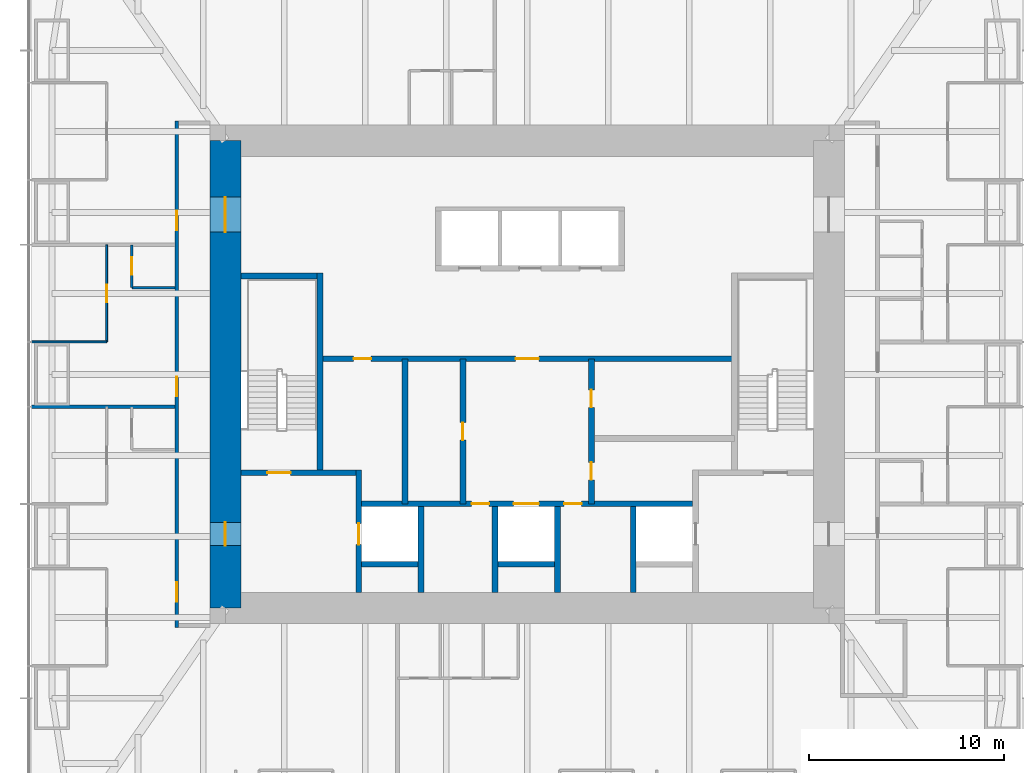
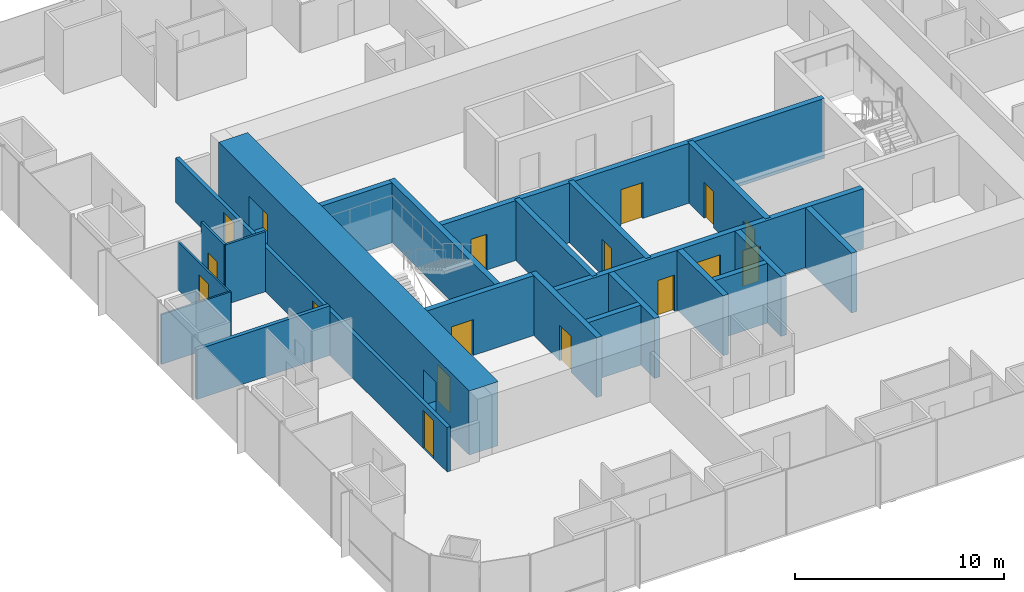
# One storey, part 9 of 13: 22 walls, 17 doors, 17 openings.
"""IFC4 building model written with IfcOpenShell, lengths in metres."""

from ifc_helpers import new_model, si_unit, direction, frame, frame_2d, origin, place, context, subcontext, project, spatial, rectangle, extrude, material, layer, layer_set, type_object, element, fill, save


model = new_model("IFC4")

# Units and contexts
model_context = context("Model", 3, precision=1e-05, world=origin(), true_north=direction((0.0, 1.0)))
body_context = subcontext(model_context, "Body", "Model", "MODEL_VIEW")
ifc_project = project(units=[si_unit("LENGTHUNIT", "METRE"), si_unit("AREAUNIT", "SQUARE_METRE"), si_unit("VOLUMEUNIT", "CUBIC_METRE"), si_unit("PLANEANGLEUNIT", "RADIAN"), si_unit("MASSUNIT", "GRAM", prefix="KILO")], contexts=[model_context])

# Site, building, storey
site_placement = place(None, origin())
site = spatial("IfcSite", under=ifc_project, at=site_placement, CompositionType="ELEMENT")
building_placement = place(site_placement, origin())
building = spatial("IfcBuilding", under=site, at=building_placement, Name="Khuree Lantern Residences", CompositionType="ELEMENT")
storey_placement = place(building_placement, frame((0.0, 0.0, 267.0)))
storey = spatial("IfcBuildingStorey", under=building, at=storey_placement, Name="L67", CompositionType="ELEMENT", Elevation=267.0)

# Wall, opening, door
ifc_material_1 = material(Name="Moisture-resistant gypsum board on steel studs", Category="steel")
ifc_layer_1 = layer(ifc_material_1, 0.125)
ifc_layer_set_1 = layer_set([ifc_layer_1], Name="BATHROOM WALL BTW125")
wall_type_1 = type_object("IfcWallType", Name="BATHROOM WALL BTW125", PredefinedType="PARTITIONING", material=ifc_layer_set_1)
wall_1_placement = place(storey_placement, frame((-20.300048828125, 6.656005859375, 0.0), z_axis=(0.0, 0.0, 1.0), x_axis=(0.0, -1.0, 0.0)))
wall_1 = element("IfcWall", 1, at=wall_1_placement, inside=storey, type_object=wall_type_1, Name="L67 BATHROOM WALL 04", PredefinedType="PARTITIONING", context=body_context, shape_type="SweptSolid", body=[
    extrude(rectangle(XDim=2.199951171875, YDim=0.125, at=frame_2d((1.10009765625, 0.0))), origin(), (0.0, 0.0, 1.0), 3.5),
])
opening_1_placement = place(wall_1_placement, frame((0.64990234375, 0.0, 0.0)))
opening_1 = element("IfcOpeningElement", 2, at=opening_1_placement, cuts=wall_1, Name="Opening 67-041", PredefinedType="OPENING", context=body_context, shape_type="SweptSolid", body=[
    extrude(rectangle(XDim=0.89990234375, YDim=2.10009765625, at=frame_2d((0.449951171875, 1.050048828125))), frame((0.0, 0.072509765625, 0.0), z_axis=(0.0, -1.0, 0.0), x_axis=(1.0, 0.0, 0.0)), (0.0, 0.0, 1.0), 0.14501953125),
])
ifc_material_2 = material(Name="Timber door leaf in hardwood frame", Category="wood")
door_type_1 = type_object("IfcDoorType", Name="BATHROOM DOOR 900X2100", OperationType="SINGLE_SWING_LEFT", PredefinedType="DOOR", material=ifc_material_2)
door_1_placement = place(opening_1_placement, origin())
door_1 = element("IfcDoor", 3, at=door_1_placement, inside=storey, type_object=door_type_1, Name="Bathroom door 67-041", OperationType="SINGLE_SWING_LEFT", OverallHeight=2.10009765625, OverallWidth=0.89990234375, PredefinedType="DOOR", context=body_context, shape_type="SweptSolid", body=[
    extrude(rectangle(XDim=0.89990234375, YDim=2.10009765625, at=frame_2d((0.449951171875, 1.050048828125))), frame((0.0, 0.02490234375, 0.0), z_axis=(0.0, -1.0, 0.0), x_axis=(1.0, 0.0, 0.0)), (0.0, 0.0, 1.0), 0.050048828125),
])
fill(opening_1, door_1)

# Wall
wall_2_placement = place(storey_placement, frame((-18.10009765625, 4.4560546875, 0.0), z_axis=(0.0, 0.0, 1.0), x_axis=(-1.0, 0.0, 0.0)))
element("IfcWall", 4, at=wall_2_placement, inside=storey, type_object=wall_type_1, Name="L67 BATHROOM WALL 04", PredefinedType="PARTITIONING", context=body_context, shape_type="SweptSolid", body=[
    extrude(rectangle(XDim=2.199951171875, YDim=0.125, at=frame_2d((1.10009765625, 0.0))), origin(), (0.0, 0.0, 1.0), 3.5),
])

# Wall, opening, door
ifc_material_3 = material(Name="Dense concrete blockwork", Category="masonry")
ifc_layer_2 = layer(ifc_material_3, 0.300048828125)
ifc_layer_set_2 = layer_set([ifc_layer_2], Name="CORE PARTITION WALL CPW300 EI 120")
wall_type_2 = type_object("IfcWallType", Name="CORE PARTITION WALL CPW300 EI 120", PredefinedType="PARTITIONING", material=ifc_layer_set_2)
wall_3_placement = place(storey_placement, frame((-8.64990234375, -11.199951171875, 0.0), z_axis=(0.0, 0.0, 1.0), x_axis=(0.0, 1.0, 0.0)))
wall_3 = element("IfcWall", 5, at=wall_3_placement, inside=storey, type_object=wall_type_2, Name="L67 CORE WALL FL1W", PredefinedType="PARTITIONING", context=body_context, shape_type="SweptSolid", body=[
    extrude(rectangle(XDim=6.300048828125, YDim=0.300048828125, at=frame_2d((3.14990234375, 0.0))), origin(), (0.0, 0.0, 1.0), 3.5),
])
opening_2_placement = place(wall_3_placement, frame((2.449951171875, 0.0, 0.0)))
opening_2 = element("IfcOpeningElement", 6, at=opening_2_placement, cuts=wall_3, Name="Opening 67-007", PredefinedType="OPENING", context=body_context, shape_type="SweptSolid", body=[
    extrude(rectangle(XDim=1.10009765625, YDim=2.10009765625, at=frame_2d((0.550048828125, 1.050048828125))), frame((0.0, 0.16015625, 0.0), z_axis=(0.0, -1.0, 0.0), x_axis=(1.0, 0.0, 0.0)), (0.0, 0.0, 1.0), 0.320068359375),
])
ifc_material_4 = material(Name="Stainless steel lift landing door", Category="steel")
door_type_2 = type_object("IfcDoorType", Name="LIFT LANDING DOOR 1100X2100 E 120", OperationType="DOUBLE_DOOR_SLIDING", PredefinedType="DOOR", material=ifc_material_4)
door_2_placement = place(opening_2_placement, origin())
door_2 = element("IfcDoor", 7, at=door_2_placement, inside=storey, type_object=door_type_2, Name="Landing door FL1 67-007", OperationType="DOUBLE_DOOR_SLIDING", OverallHeight=2.10009765625, OverallWidth=1.10009765625, PredefinedType="DOOR", context=body_context, shape_type="SweptSolid", body=[
    extrude(rectangle(XDim=1.10009765625, YDim=2.10009765625, at=frame_2d((0.550048828125, 1.050048828125))), frame((0.0, 0.02490234375, 0.0), z_axis=(0.0, -1.0, 0.0), x_axis=(1.0, 0.0, 0.0)), (0.0, 0.0, 1.0), 0.050048828125),
])
fill(opening_2, door_2)

# Wall, openings, doors
wall_4_placement = place(storey_placement, frame((-8.5, -6.64990234375, 0.0), z_axis=(0.0, 0.0, 1.0), x_axis=(1.0, 0.0, 0.0)))
wall_4 = element("IfcWall", 8, at=wall_4_placement, inside=storey, type_object=wall_type_2, Name="L67 CORE WALL FLROW", PredefinedType="PARTITIONING", context=body_context, shape_type="SweptSolid", body=[
    extrude(rectangle(XDim=17.0, YDim=0.300048828125, at=frame_2d((8.5, 0.0))), origin(), (0.0, 0.0, 1.0), 3.5),
])
opening_3_placement = place(wall_4_placement, frame((7.800048828125, 0.0, 0.0)))
opening_3 = element("IfcOpeningElement", 9, at=opening_3_placement, cuts=wall_4, Name="Opening 67-012", PredefinedType="OPENING", context=body_context, shape_type="SweptSolid", body=[
    extrude(rectangle(XDim=1.300048828125, YDim=2.39990234375, at=frame_2d((0.64990234375, 1.199951171875))), frame((0.0, 0.16015625, 0.0), z_axis=(0.0, -1.0, 0.0), x_axis=(1.0, 0.0, 0.0)), (0.0, 0.0, 1.0), 0.320068359375),
])
opening_4_placement = place(wall_4_placement, frame((5.64990234375, 0.0, 0.0)))
opening_4 = element("IfcOpeningElement", 10, at=opening_4_placement, cuts=wall_4, Name="Opening 67-014", PredefinedType="OPENING", context=body_context, shape_type="SweptSolid", body=[
    extrude(rectangle(XDim=0.89990234375, YDim=2.10009765625, at=frame_2d((0.449951171875, 1.050048828125))), frame((0.0, 0.16015625, 0.0), z_axis=(0.0, -1.0, 0.0), x_axis=(1.0, 0.0, 0.0)), (0.0, 0.0, 1.0), 0.320068359375),
])
opening_5_placement = place(wall_4_placement, frame((10.39990234375, 0.0, 0.0)))
opening_5 = element("IfcOpeningElement", 11, at=opening_5_placement, cuts=wall_4, Name="Opening 67-015", PredefinedType="OPENING", context=body_context, shape_type="SweptSolid", body=[
    extrude(rectangle(XDim=0.89990234375, YDim=2.10009765625, at=frame_2d((0.449951171875, 1.050048828125))), frame((0.0, 0.16015625, 0.0), z_axis=(0.0, -1.0, 0.0), x_axis=(1.0, 0.0, 0.0)), (0.0, 0.0, 1.0), 0.320068359375),
])
ifc_material_5 = material(Name="Steel door leaf in steel frame", Category="steel")
door_type_3 = type_object("IfcDoorType", Name="DOOR 900X2100 EI 60", OperationType="SINGLE_SWING_LEFT", PredefinedType="DOOR", material=ifc_material_5)
door_3_placement = place(opening_4_placement, origin())
door_3 = element("IfcDoor", 12, at=door_3_placement, inside=storey, type_object=door_type_3, Name="Refuse chute room door 67-014", OperationType="SINGLE_SWING_LEFT", OverallHeight=2.10009765625, OverallWidth=0.89990234375, PredefinedType="DOOR", context=body_context, shape_type="SweptSolid", body=[
    extrude(rectangle(XDim=0.89990234375, YDim=2.10009765625, at=frame_2d((0.449951171875, 1.050048828125))), frame((0.0, 0.02490234375, 0.0), z_axis=(0.0, -1.0, 0.0), x_axis=(1.0, 0.0, 0.0)), (0.0, 0.0, 1.0), 0.050048828125),
])
fill(opening_4, door_3)
door_type_4 = type_object("IfcDoorType", Name="DOOR 900X2100 EI 60 RIGHT HAND", OperationType="SINGLE_SWING_RIGHT", PredefinedType="DOOR", material=ifc_material_5)
door_4_placement = place(opening_5_placement, origin())
door_4 = element("IfcDoor", 13, at=door_4_placement, inside=storey, type_object=door_type_4, Name="Electrical and plumbing riser door 67-015", OperationType="SINGLE_SWING_RIGHT", OverallHeight=2.10009765625, OverallWidth=0.89990234375, PredefinedType="DOOR", context=body_context, shape_type="SweptSolid", body=[
    extrude(rectangle(XDim=0.89990234375, YDim=2.10009765625, at=frame_2d((0.449951171875, 1.050048828125))), frame((0.0, 0.02490234375, 0.0), z_axis=(0.0, -1.0, 0.0), x_axis=(1.0, 0.0, 0.0)), (0.0, 0.0, 1.0), 0.050048828125),
])
fill(opening_5, door_4)
door_type_5 = type_object("IfcDoorType", Name="LIFT LANDING DOOR 1300X2400 E 60", OperationType="DOUBLE_DOOR_SLIDING", PredefinedType="DOOR", material=ifc_material_4)
door_5_placement = place(opening_3_placement, origin())
door_5 = element("IfcDoor", 14, at=door_5_placement, inside=storey, type_object=door_type_5, Name="Landing door SL1 67-012", OperationType="DOUBLE_DOOR_SLIDING", OverallHeight=2.39990234375, OverallWidth=1.300048828125, PredefinedType="DOOR", context=body_context, shape_type="SweptSolid", body=[
    extrude(rectangle(XDim=1.300048828125, YDim=2.39990234375, at=frame_2d((0.64990234375, 1.199951171875))), frame((0.0, 0.02490234375, 0.0), z_axis=(0.0, -1.0, 0.0), x_axis=(1.0, 0.0, 0.0)), (0.0, 0.0, 1.0), 0.050048828125),
])
fill(opening_3, door_5)

# Walls
for number, where, z_axis, x_axis, name in (
    (15, (-5.449951171875, -11.199951171875, 0.0), (0.0, 0.0, 1.0), (0.0, 1.0, 0.0), "L67 CORE WALL FL1E"),
    (16, (-1.64990234375, -11.199951171875, 0.0), (0.0, 0.0, 1.0), (0.0, 1.0, 0.0), "L67 CORE WALL SL1W"),
    (17, (1.550048828125, -11.199951171875, 0.0), (0.0, 0.0, 1.0), (0.0, 1.0, 0.0), "L67 CORE WALL SL1E"),
    (18, (5.449951171875, -11.199951171875, 0.0), (0.0, 0.0, 1.0), (0.0, 1.0, 0.0), "L67 CORE WALL FL2W"),
):
    element("IfcWall", number, at=place(storey_placement, frame(where, z_axis=z_axis, x_axis=x_axis)), inside=storey, type_object=wall_type_2, Name=name, PredefinedType="PARTITIONING", context=body_context, shape_type="SweptSolid", body=[
        extrude(rectangle(XDim=4.39990234375, YDim=0.300048828125, at=frame_2d((2.199951171875, 0.0))), origin(), (0.0, 0.0, 1.0), 3.5),
    ])
for number, where, z_axis, x_axis, name in (
    (19, (-8.5, -9.75, 0.0), (0.0, 0.0, 1.0), (1.0, 0.0, 0.0), "L67 CORE WALL FL1S"),
    (20, (-1.5, -9.75, 0.0), (0.0, 0.0, 1.0), (1.0, 0.0, 0.0), "L67 CORE WALL SL1S"),
):
    element("IfcWall", number, at=place(storey_placement, frame(where, z_axis=z_axis, x_axis=x_axis)), inside=storey, type_object=wall_type_2, Name=name, PredefinedType="PARTITIONING", context=body_context, shape_type="SweptSolid", body=[
        extrude(rectangle(XDim=2.89990234375, YDim=0.300048828125, at=frame_2d((1.449951171875, 0.0))), origin(), (0.0, 0.0, 1.0), 3.5),
    ])

# Wall, openings, doors
wall_5_placement = place(storey_placement, frame((-10.64990234375, 0.800048828125, 0.0), z_axis=(0.0, 0.0, 1.0), x_axis=(1.0, 0.0, 0.0)))
wall_5 = element("IfcWall", 21, at=wall_5_placement, inside=storey, type_object=wall_type_2, Name="L67 CORE WALL LLS", PredefinedType="PARTITIONING", context=body_context, shape_type="SweptSolid", body=[
    extrude(rectangle(XDim=21.2998046875, YDim=0.300048828125, at=frame_2d((10.64990234375, 0.0))), origin(), (0.0, 0.0, 1.0), 3.5),
])
opening_6_placement = place(wall_5_placement, frame((10.050048828125, 0.0, 0.0)))
opening_6 = element("IfcOpeningElement", 22, at=opening_6_placement, cuts=wall_5, Name="Opening 67-013", PredefinedType="OPENING", context=body_context, shape_type="SweptSolid", body=[
    extrude(rectangle(XDim=1.199951171875, YDim=2.10009765625, at=frame_2d((0.60009765625, 1.050048828125))), frame((0.0, 0.16015625, 0.0), z_axis=(0.0, -1.0, 0.0), x_axis=(1.0, 0.0, 0.0)), (0.0, 0.0, 1.0), 0.320068359375),
])
opening_7_placement = place(wall_5_placement, frame((1.739990234375, 0.0, 0.0)))
opening_7 = element("IfcOpeningElement", 23, at=opening_7_placement, cuts=wall_5, Name="Opening 67-017", PredefinedType="OPENING", context=body_context, shape_type="SweptSolid", body=[
    extrude(rectangle(XDim=0.89990234375, YDim=2.10009765625, at=frame_2d((0.449951171875, 1.050048828125))), frame((0.0, 0.16015625, 0.0), z_axis=(0.0, -1.0, 0.0), x_axis=(1.0, 0.0, 0.0)), (0.0, 0.0, 1.0), 0.320068359375),
])
door_type_6 = type_object("IfcDoorType", Name="DOOR 1200X2100 EI 60", OperationType="SINGLE_SWING_LEFT", PredefinedType="DOOR", material=ifc_material_5)
door_6_placement = place(opening_6_placement, origin())
door_6 = element("IfcDoor", 24, at=door_6_placement, inside=storey, type_object=door_type_6, Name="Service lift lobby door 67-013", OperationType="SINGLE_SWING_LEFT", OverallHeight=2.10009765625, OverallWidth=1.199951171875, PredefinedType="DOOR", context=body_context, shape_type="SweptSolid", body=[
    extrude(rectangle(XDim=1.199951171875, YDim=2.10009765625, at=frame_2d((0.60009765625, 1.050048828125))), frame((0.0, 0.02490234375, 0.0), z_axis=(0.0, -1.0, 0.0), x_axis=(1.0, 0.0, 0.0)), (0.0, 0.0, 1.0), 0.050048828125),
])
fill(opening_6, door_6)
door_type_7 = type_object("IfcDoorType", Name="DOOR 900X2100", OperationType="SINGLE_SWING_LEFT", PredefinedType="DOOR", material=ifc_material_2)
door_7_placement = place(opening_7_placement, origin())
door_7 = element("IfcDoor", 25, at=door_7_placement, inside=storey, type_object=door_type_7, Name="Residents' store door 67-017", OperationType="SINGLE_SWING_LEFT", OverallHeight=2.10009765625, OverallWidth=0.89990234375, PredefinedType="DOOR", context=body_context, shape_type="SweptSolid", body=[
    extrude(rectangle(XDim=0.89990234375, YDim=2.10009765625, at=frame_2d((0.449951171875, 1.050048828125))), frame((0.0, 0.02490234375, 0.0), z_axis=(0.0, -1.0, 0.0), x_axis=(1.0, 0.0, 0.0)), (0.0, 0.0, 1.0), 0.050048828125),
])
fill(opening_7, door_7)

# Wall, opening, door
wall_6_placement = place(storey_placement, frame((-3.300048828125, -6.64990234375, 0.0), z_axis=(0.0, 0.0, 1.0), x_axis=(0.0, 1.0, 0.0)))
wall_6 = element("IfcWall", 26, at=wall_6_placement, inside=storey, type_object=wall_type_2, Name="L67 CORE WALL SVW", PredefinedType="PARTITIONING", context=body_context, shape_type="SweptSolid", body=[
    extrude(rectangle(XDim=7.449951171875, YDim=0.300048828125, at=frame_2d((3.72509765625, 0.0))), origin(), (0.0, 0.0, 1.0), 3.5),
])
opening_8_placement = place(wall_6_placement, frame((3.27490234375, 0.0, 0.0)))
opening_8 = element("IfcOpeningElement", 27, at=opening_8_placement, cuts=wall_6, Name="Opening 67-016", PredefinedType="OPENING", context=body_context, shape_type="SweptSolid", body=[
    extrude(rectangle(XDim=0.89990234375, YDim=2.10009765625, at=frame_2d((0.449951171875, 1.050048828125))), frame((0.0, 0.16015625, 0.0), z_axis=(0.0, -1.0, 0.0), x_axis=(1.0, 0.0, 0.0)), (0.0, 0.0, 1.0), 0.320068359375),
])
door_8_placement = place(opening_8_placement, origin())
door_8 = element("IfcDoor", 28, at=door_8_placement, inside=storey, type_object=door_type_7, Name="Bulky waste store door 67-016", OperationType="SINGLE_SWING_LEFT", OverallHeight=2.10009765625, OverallWidth=0.89990234375, PredefinedType="DOOR", context=body_context, shape_type="SweptSolid", body=[
    extrude(rectangle(XDim=0.89990234375, YDim=2.10009765625, at=frame_2d((0.449951171875, 1.050048828125))), frame((0.0, 0.02490234375, 0.0), z_axis=(0.0, -1.0, 0.0), x_axis=(1.0, 0.0, 0.0)), (0.0, 0.0, 1.0), 0.050048828125),
])
fill(opening_8, door_8)

# Wall, openings, doors
wall_7_placement = place(storey_placement, frame((3.300048828125, -6.64990234375, 0.0), z_axis=(0.0, 0.0, 1.0), x_axis=(0.0, 1.0, 0.0)))
wall_7 = element("IfcWall", 29, at=wall_7_placement, inside=storey, type_object=wall_type_2, Name="L67 CORE WALL SVE", PredefinedType="PARTITIONING", context=body_context, shape_type="SweptSolid", body=[
    extrude(rectangle(XDim=7.449951171875, YDim=0.300048828125, at=frame_2d((3.72509765625, 0.0))), origin(), (0.0, 0.0, 1.0), 3.5),
])
opening_9_placement = place(wall_7_placement, frame((1.23095703125, 0.0, 0.0)))
opening_9 = element("IfcOpeningElement", 30, at=opening_9_placement, cuts=wall_7, Name="Opening 67-018", PredefinedType="OPENING", context=body_context, shape_type="SweptSolid", body=[
    extrude(rectangle(XDim=0.89990234375, YDim=2.10009765625, at=frame_2d((0.449951171875, 1.050048828125))), frame((0.0, 0.16015625, 0.0), z_axis=(0.0, -1.0, 0.0), x_axis=(1.0, 0.0, 0.0)), (0.0, 0.0, 1.0), 0.320068359375),
])
opening_10_placement = place(wall_7_placement, frame((4.9560546875, 0.0, 0.0)))
opening_10 = element("IfcOpeningElement", 31, at=opening_10_placement, cuts=wall_7, Name="Opening 67-019", PredefinedType="OPENING", context=body_context, shape_type="SweptSolid", body=[
    extrude(rectangle(XDim=0.89990234375, YDim=2.10009765625, at=frame_2d((0.449951171875, 1.050048828125))), frame((0.0, 0.16015625, 0.0), z_axis=(0.0, -1.0, 0.0), x_axis=(1.0, 0.0, 0.0)), (0.0, 0.0, 1.0), 0.320068359375),
])
door_9_placement = place(opening_9_placement, origin())
door_9 = element("IfcDoor", 32, at=door_9_placement, inside=storey, type_object=door_type_7, Name="Bulky waste store door 67-018", OperationType="SINGLE_SWING_LEFT", OverallHeight=2.10009765625, OverallWidth=0.89990234375, PredefinedType="DOOR", context=body_context, shape_type="SweptSolid", body=[
    extrude(rectangle(XDim=0.89990234375, YDim=2.10009765625, at=frame_2d((0.449951171875, 1.050048828125))), frame((0.0, 0.02490234375, 0.0), z_axis=(0.0, -1.0, 0.0), x_axis=(1.0, 0.0, 0.0)), (0.0, 0.0, 1.0), 0.050048828125),
])
fill(opening_9, door_9)
door_type_8 = type_object("IfcDoorType", Name="DOOR 900X2100 RIGHT HAND", OperationType="SINGLE_SWING_RIGHT", PredefinedType="DOOR", material=ifc_material_2)
door_10_placement = place(opening_10_placement, origin())
door_10 = element("IfcDoor", 33, at=door_10_placement, inside=storey, type_object=door_type_8, Name="Residents' store door 67-019", OperationType="SINGLE_SWING_RIGHT", OverallHeight=2.10009765625, OverallWidth=0.89990234375, PredefinedType="DOOR", context=body_context, shape_type="SweptSolid", body=[
    extrude(rectangle(XDim=0.89990234375, YDim=2.10009765625, at=frame_2d((0.449951171875, 1.050048828125))), frame((0.0, 0.02490234375, 0.0), z_axis=(0.0, -1.0, 0.0), x_axis=(1.0, 0.0, 0.0)), (0.0, 0.0, 1.0), 0.050048828125),
])
fill(opening_10, door_10)

# Wall
wall_8_placement = place(storey_placement, frame((-6.27001953125, -6.64990234375, 0.0), z_axis=(0.0, 0.0, 1.0), x_axis=(0.0, 1.0, 0.0)))
element("IfcWall", 34, at=wall_8_placement, inside=storey, type_object=wall_type_2, Name="L67 CORE WALL WV", PredefinedType="PARTITIONING", context=body_context, shape_type="SweptSolid", body=[
    extrude(rectangle(XDim=7.449951171875, YDim=0.300048828125, at=frame_2d((3.72509765625, 0.0))), origin(), (0.0, 0.0, 1.0), 3.5),
])

# Wall, openings, doors
ifc_material_6 = material(Name="Gypsum board on steel studs", Category="steel")
ifc_layer_3 = layer(ifc_material_6, 0.199951171875)
ifc_layer_set_3 = layer_set([ifc_layer_3], Name="CORRIDOR WALL CRW200 EI 60")
wall_type_3 = type_object("IfcWallType", Name="CORRIDOR WALL CRW200 EI 60", PredefinedType="PARTITIONING", material=ifc_layer_set_3)
wall_9_placement = place(storey_placement, frame((-18.0, 13.0, 0.0), z_axis=(0.0, 0.0, 1.0), x_axis=(0.0, -1.0, 0.0)))
wall_9 = element("IfcWall", 35, at=wall_9_placement, inside=storey, type_object=wall_type_3, Name="L67 CORRIDOR WALL WEST 1", PredefinedType="PARTITIONING", context=body_context, shape_type="SweptSolid", body=[
    extrude(rectangle(XDim=26.0, YDim=0.199951171875, at=frame_2d((13.0, 0.0))), origin(), (0.0, 0.0, 1.0), 2.60009765625),
])
opening_11_placement = place(wall_9_placement, frame((4.60009765625, 0.0, 0.0)))
opening_11 = element("IfcOpeningElement", 36, at=opening_11_placement, cuts=wall_9, Name="Opening 67-039", PredefinedType="OPENING", context=body_context, shape_type="SweptSolid", body=[
    extrude(rectangle(XDim=1.0, YDim=2.199951171875, at=frame_2d((0.5, 1.10009765625))), frame((0.0, 0.10986328125, 0.0), z_axis=(0.0, -1.0, 0.0), x_axis=(1.0, 0.0, 0.0)), (0.0, 0.0, 1.0), 0.219970703125),
])
opening_12_placement = place(wall_9_placement, frame((13.114013671875, 0.0, 0.0)))
opening_12 = element("IfcOpeningElement", 37, at=opening_12_placement, cuts=wall_9, Name="Opening 67-042", PredefinedType="OPENING", context=body_context, shape_type="SweptSolid", body=[
    extrude(rectangle(XDim=1.0, YDim=2.199951171875, at=frame_2d((0.5, 1.10009765625))), frame((0.0, 0.10986328125, 0.0), z_axis=(0.0, -1.0, 0.0), x_axis=(1.0, 0.0, 0.0)), (0.0, 0.0, 1.0), 0.219970703125),
])
opening_13_placement = place(wall_9_placement, frame((23.68408203125, 0.0, 0.0)))
opening_13 = element("IfcOpeningElement", 38, at=opening_13_placement, cuts=wall_9, Name="Opening 67-048", PredefinedType="OPENING", context=body_context, shape_type="SweptSolid", body=[
    extrude(rectangle(XDim=1.0, YDim=2.199951171875, at=frame_2d((0.5, 1.10009765625))), frame((0.0, 0.10986328125, 0.0), z_axis=(0.0, -1.0, 0.0), x_axis=(1.0, 0.0, 0.0)), (0.0, 0.0, 1.0), 0.219970703125),
])
door_type_9 = type_object("IfcDoorType", Name="APARTMENT ENTRANCE DOOR 1000X2200 EI 30S", OperationType="SINGLE_SWING_LEFT", PredefinedType="DOOR", material=ifc_material_2)
door_11_placement = place(opening_11_placement, origin())
door_11 = element("IfcDoor", 39, at=door_11_placement, inside=storey, type_object=door_type_9, Name="Apartment 03 entrance door 67-039", OperationType="SINGLE_SWING_LEFT", OverallHeight=2.199951171875, OverallWidth=1.0, PredefinedType="DOOR", context=body_context, shape_type="SweptSolid", body=[
    extrude(rectangle(XDim=1.0, YDim=2.199951171875, at=frame_2d((0.5, 1.10009765625))), frame((0.0, 0.02490234375, 0.0), z_axis=(0.0, -1.0, 0.0), x_axis=(1.0, 0.0, 0.0)), (0.0, 0.0, 1.0), 0.050048828125),
])
fill(opening_11, door_11)
door_12_placement = place(opening_12_placement, origin())
door_12 = element("IfcDoor", 40, at=door_12_placement, inside=storey, type_object=door_type_9, Name="Apartment 04 entrance door 67-042", OperationType="SINGLE_SWING_LEFT", OverallHeight=2.199951171875, OverallWidth=1.0, PredefinedType="DOOR", context=body_context, shape_type="SweptSolid", body=[
    extrude(rectangle(XDim=1.0, YDim=2.199951171875, at=frame_2d((0.5, 1.10009765625))), frame((0.0, 0.02490234375, 0.0), z_axis=(0.0, -1.0, 0.0), x_axis=(1.0, 0.0, 0.0)), (0.0, 0.0, 1.0), 0.050048828125),
])
fill(opening_12, door_12)
door_type_10 = type_object("IfcDoorType", Name="APARTMENT ENTRANCE DOOR 1000X2200 EI 30S RIGHT HAND", OperationType="SINGLE_SWING_RIGHT", PredefinedType="DOOR", material=ifc_material_2)
door_13_placement = place(opening_13_placement, origin())
door_13 = element("IfcDoor", 41, at=door_13_placement, inside=storey, type_object=door_type_10, Name="Apartment 05 entrance door 67-048", OperationType="SINGLE_SWING_RIGHT", OverallHeight=2.199951171875, OverallWidth=1.0, PredefinedType="DOOR", context=body_context, shape_type="SweptSolid", body=[
    extrude(rectangle(XDim=1.0, YDim=2.199951171875, at=frame_2d((0.5, 1.10009765625))), frame((0.0, 0.02490234375, 0.0), z_axis=(0.0, -1.0, 0.0), x_axis=(1.0, 0.0, 0.0)), (0.0, 0.0, 1.0), 0.050048828125),
])
fill(opening_13, door_13)

ifc_material_7 = material(Name="Concrete C50/60", Category="concrete")
ifc_layer_4 = layer(ifc_material_7, 1.60009765625)
ifc_layer_set_4 = layer_set([ifc_layer_4], Name="CW1600-C50 CORE WALL C50 1600")
wall_type_4 = type_object("IfcWallType", Name="CW1600-C50 CORE WALL C50 1600", PredefinedType="SHEAR", material=ifc_layer_set_4)
wall_10_placement = place(storey_placement, frame((-15.5, -12.0, -0.25), z_axis=(0.0, 0.0, 1.0), x_axis=(0.0, 1.0, 0.0)))
wall_10 = element("IfcWall", 42, at=wall_10_placement, inside=storey, type_object=wall_type_4, Name="Core wall W", PredefinedType="SHEAR", context=body_context, shape_type="SweptSolid", body=[
    extrude(rectangle(XDim=24.0, YDim=1.60009765625, at=frame_2d((12.0, 0.0))), origin(), (0.0, 0.0, 1.0), 3.75),
])
opening_14_placement = place(wall_10_placement, frame((3.199951171875, 0.0, 0.25)))
opening_14 = element("IfcOpeningElement", 43, at=opening_14_placement, cuts=wall_10, Name="Opening 67-002", PredefinedType="OPENING", context=body_context, shape_type="SweptSolid", body=[
    extrude(rectangle(XDim=1.199951171875, YDim=2.10009765625, at=frame_2d((0.60009765625, 1.050048828125))), frame((0.0, 0.81005859375, 0.0), z_axis=(0.0, -1.0, 0.0), x_axis=(1.0, 0.0, 0.0)), (0.0, 0.0, 1.0), 1.6201171875),
])
opening_15_placement = place(wall_10_placement, frame((19.300048828125, 0.0, 0.25)))
opening_15 = element("IfcOpeningElement", 44, at=opening_15_placement, cuts=wall_10, Name="Opening 67-003", PredefinedType="OPENING", context=body_context, shape_type="SweptSolid", body=[
    extrude(rectangle(XDim=1.800048828125, YDim=2.10009765625, at=frame_2d((0.89990234375, 1.050048828125))), frame((0.0, 0.81005859375, 0.0), z_axis=(0.0, -1.0, 0.0), x_axis=(1.0, 0.0, 0.0)), (0.0, 0.0, 1.0), 1.6201171875),
])
door_type_11 = type_object("IfcDoorType", Name="LOBBY DOOR 1200X2100 EI 120", OperationType="SINGLE_SWING_LEFT", PredefinedType="DOOR", material=ifc_material_5)
door_14_placement = place(opening_14_placement, origin())
door_14 = element("IfcDoor", 45, at=door_14_placement, inside=storey, type_object=door_type_11, Name="Firefighting lobby door 67-002", OperationType="SINGLE_SWING_LEFT", OverallHeight=2.10009765625, OverallWidth=1.199951171875, PredefinedType="DOOR", context=body_context, shape_type="SweptSolid", body=[
    extrude(rectangle(XDim=1.199951171875, YDim=2.10009765625, at=frame_2d((0.60009765625, 1.050048828125))), frame((0.0, 0.02490234375, 0.0), z_axis=(0.0, -1.0, 0.0), x_axis=(1.0, 0.0, 0.0)), (0.0, 0.0, 1.0), 0.050048828125),
])
fill(opening_14, door_14)
door_type_12 = type_object("IfcDoorType", Name="LOBBY DOUBLE DOOR 1800X2100 EI 60", OperationType="DOUBLE_DOOR_SINGLE_SWING", PredefinedType="DOOR", material=ifc_material_5)
door_15_placement = place(opening_15_placement, origin())
door_15 = element("IfcDoor", 46, at=door_15_placement, inside=storey, type_object=door_type_12, Name="Lift lobby door 67-003", OperationType="DOUBLE_DOOR_SINGLE_SWING", OverallHeight=2.10009765625, OverallWidth=1.800048828125, PredefinedType="DOOR", context=body_context, shape_type="SweptSolid", body=[
    extrude(rectangle(XDim=1.800048828125, YDim=2.10009765625, at=frame_2d((0.89990234375, 1.050048828125))), frame((0.0, 0.02490234375, 0.0), z_axis=(0.0, -1.0, 0.0), x_axis=(1.0, 0.0, 0.0)), (0.0, 0.0, 1.0), 0.050048828125),
])
fill(opening_15, door_15)

# Walls
ifc_layer_5 = layer(ifc_material_6, 0.199951171875)
ifc_layer_set_5 = layer_set([ifc_layer_5], Name="DEMISING WALL DMW200 EI 90")
wall_type_5 = type_object("IfcWallType", Name="DEMISING WALL DMW200 EI 90", PredefinedType="PARTITIONING", material=ifc_layer_set_5)
wall_11_placement = place(storey_placement, frame((-18.10009765625, -1.6640625, 0.0), z_axis=(0.0, 0.0, 1.0), x_axis=(-1.0, 0.0, 0.0)))
element("IfcWall", 47, at=wall_11_placement, inside=storey, type_object=wall_type_5, Name="L67 DEMISING WALL 05", PredefinedType="PARTITIONING", context=body_context, shape_type="SweptSolid", body=[
    extrude(rectangle(XDim=7.349853515625, YDim=0.199951171875, at=frame_2d((3.6748046875, 0.0))), origin(), (0.0, 0.0, 1.0), 2.909912109375),
])
ifc_layer_6 = layer(ifc_material_6, 0.10009765625)
ifc_layer_set_6 = layer_set([ifc_layer_6], Name="PARTITION PT100")
wall_type_6 = type_object("IfcWallType", Name="PARTITION PT100", PredefinedType="PARTITIONING", material=ifc_layer_set_6)
wall_12_placement = place(storey_placement, frame((-21.60009765625, 1.6640625, 0.0), z_axis=(0.0, 0.0, 1.0), x_axis=(-1.0, 0.0, 0.0)))
element("IfcWall", 48, at=wall_12_placement, inside=storey, type_object=wall_type_6, Name="L67 PARTITION 04", PredefinedType="PARTITIONING", context=body_context, shape_type="SweptSolid", body=[
    extrude(rectangle(XDim=3.849853515625, YDim=0.10009765625, at=frame_2d((1.9248046875, 0.0))), origin(), (0.0, 0.0, 1.0), 2.909912109375),
])

# Wall, opening, door
wall_13_placement = place(storey_placement, frame((-21.60009765625, 6.656005859375, 0.0), z_axis=(0.0, 0.0, 1.0), x_axis=(0.0, -1.0, 0.0)))
wall_13 = element("IfcWall", 49, at=wall_13_placement, inside=storey, type_object=wall_type_6, Name="L67 PARTITION 04", PredefinedType="PARTITIONING", context=body_context, shape_type="SweptSolid", body=[
    extrude(rectangle(XDim=4.991943359375, YDim=0.10009765625, at=frame_2d((2.49609375, 0.0))), origin(), (0.0, 0.0, 1.0), 2.81005859375),
])
opening_16_placement = place(wall_13_placement, frame((2.0458984375, 0.0, 0.0)))
opening_16 = element("IfcOpeningElement", 50, at=opening_16_placement, cuts=wall_13, Name="Opening 67-040", PredefinedType="OPENING", context=body_context, shape_type="SweptSolid", body=[
    extrude(rectangle(XDim=0.89990234375, YDim=2.10009765625, at=frame_2d((0.449951171875, 1.050048828125))), frame((0.0, 0.06005859375, 0.0), z_axis=(0.0, -1.0, 0.0), x_axis=(1.0, 0.0, 0.0)), (0.0, 0.0, 1.0), 0.1201171875),
])
door_type_13 = type_object("IfcDoorType", Name="BEDROOM DOOR 900X2100", OperationType="SINGLE_SWING_LEFT", PredefinedType="DOOR", material=ifc_material_2)
door_16_placement = place(opening_16_placement, origin())
door_16 = element("IfcDoor", 51, at=door_16_placement, inside=storey, type_object=door_type_13, Name="Bedroom door 67-040", OperationType="SINGLE_SWING_LEFT", OverallHeight=2.10009765625, OverallWidth=0.89990234375, PredefinedType="DOOR", context=body_context, shape_type="SweptSolid", body=[
    extrude(rectangle(XDim=0.89990234375, YDim=2.10009765625, at=frame_2d((0.449951171875, 1.050048828125))), frame((0.0, 0.02490234375, 0.0), z_axis=(0.0, -1.0, 0.0), x_axis=(1.0, 0.0, 0.0)), (0.0, 0.0, 1.0), 0.050048828125),
])
fill(opening_16, door_16)

# Wall
ifc_layer_7 = layer(ifc_material_7, 0.300048828125)
ifc_layer_set_7 = layer_set([ifc_layer_7], Name="STAIR WALL SRW300 C50/60 REI 240")
wall_type_7 = type_object("IfcWallType", Name="STAIR WALL SRW300 C50/60 REI 240", PredefinedType="SOLIDWALL", material=ifc_layer_set_7)
wall_14_placement = place(storey_placement, frame((-10.64990234375, -4.89990234375, 0.0), z_axis=(0.0, 0.0, 1.0), x_axis=(0.0, 1.0, 0.0)))
element("IfcWall", 52, at=wall_14_placement, inside=storey, type_object=wall_type_7, Name="L67 STAIR WALL ST1E", PredefinedType="SOLIDWALL", context=body_context, shape_type="SweptSolid", body=[
    extrude(rectangle(XDim=10.099853515625, YDim=0.300048828125, at=frame_2d((5.0498046875, 0.0))), origin(), (0.0, 0.0, 1.0), 3.5),
])

# Wall, opening, door
wall_15_placement = place(storey_placement, frame((-14.699951171875, -5.050048828125, 0.0), z_axis=(0.0, 0.0, 1.0), x_axis=(1.0, 0.0, 0.0)))
wall_15 = element("IfcWall", 53, at=wall_15_placement, inside=storey, type_object=wall_type_7, Name="L67 STAIR WALL ST1S", PredefinedType="SOLIDWALL", context=body_context, shape_type="SweptSolid", body=[
    extrude(rectangle(XDim=5.89990234375, YDim=0.300048828125, at=frame_2d((2.949951171875, 0.0))), origin(), (0.0, 0.0, 1.0), 3.5),
])
opening_17_placement = place(wall_15_placement, frame((1.35009765625, 0.0, 0.0)))
opening_17 = element("IfcOpeningElement", 54, at=opening_17_placement, cuts=wall_15, Name="Opening 67-001", PredefinedType="OPENING", context=body_context, shape_type="SweptSolid", body=[
    extrude(rectangle(XDim=1.199951171875, YDim=2.10009765625, at=frame_2d((0.60009765625, 1.050048828125))), frame((0.0, 0.16015625, 0.0), z_axis=(0.0, -1.0, 0.0), x_axis=(1.0, 0.0, 0.0)), (0.0, 0.0, 1.0), 0.320068359375),
])
door_type_14 = type_object("IfcDoorType", Name="STAIR DOOR 1200X2100 EI 120", OperationType="SINGLE_SWING_LEFT", PredefinedType="DOOR", material=ifc_material_5)
door_17_placement = place(opening_17_placement, origin())
door_17 = element("IfcDoor", 55, at=door_17_placement, inside=storey, type_object=door_type_14, Name="Stair ST1 door 67-001", OperationType="SINGLE_SWING_LEFT", OverallHeight=2.10009765625, OverallWidth=1.199951171875, PredefinedType="DOOR", context=body_context, shape_type="SweptSolid", body=[
    extrude(rectangle(XDim=1.199951171875, YDim=2.10009765625, at=frame_2d((0.60009765625, 1.050048828125))), frame((0.0, 0.02490234375, 0.0), z_axis=(0.0, -1.0, 0.0), x_axis=(1.0, 0.0, 0.0)), (0.0, 0.0, 1.0), 0.050048828125),
])
fill(opening_17, door_17)

# Wall
wall_16_placement = place(storey_placement, frame((-14.699951171875, 5.050048828125, 0.0), z_axis=(0.0, 0.0, 1.0), x_axis=(1.0, 0.0, 0.0)))
element("IfcWall", 56, at=wall_16_placement, inside=storey, type_object=wall_type_7, Name="L67 STAIR WALL ST1N", PredefinedType="SOLIDWALL", context=body_context, shape_type="SweptSolid", body=[
    extrude(rectangle(XDim=3.89990234375, YDim=0.300048828125, at=frame_2d((1.949951171875, 0.0))), origin(), (0.0, 0.0, 1.0), 3.5),
])

save(model, "model.ifc")
